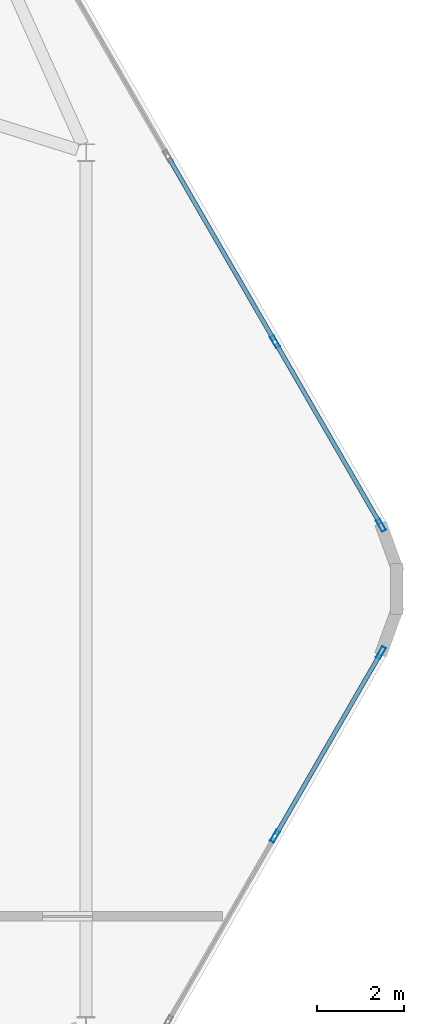
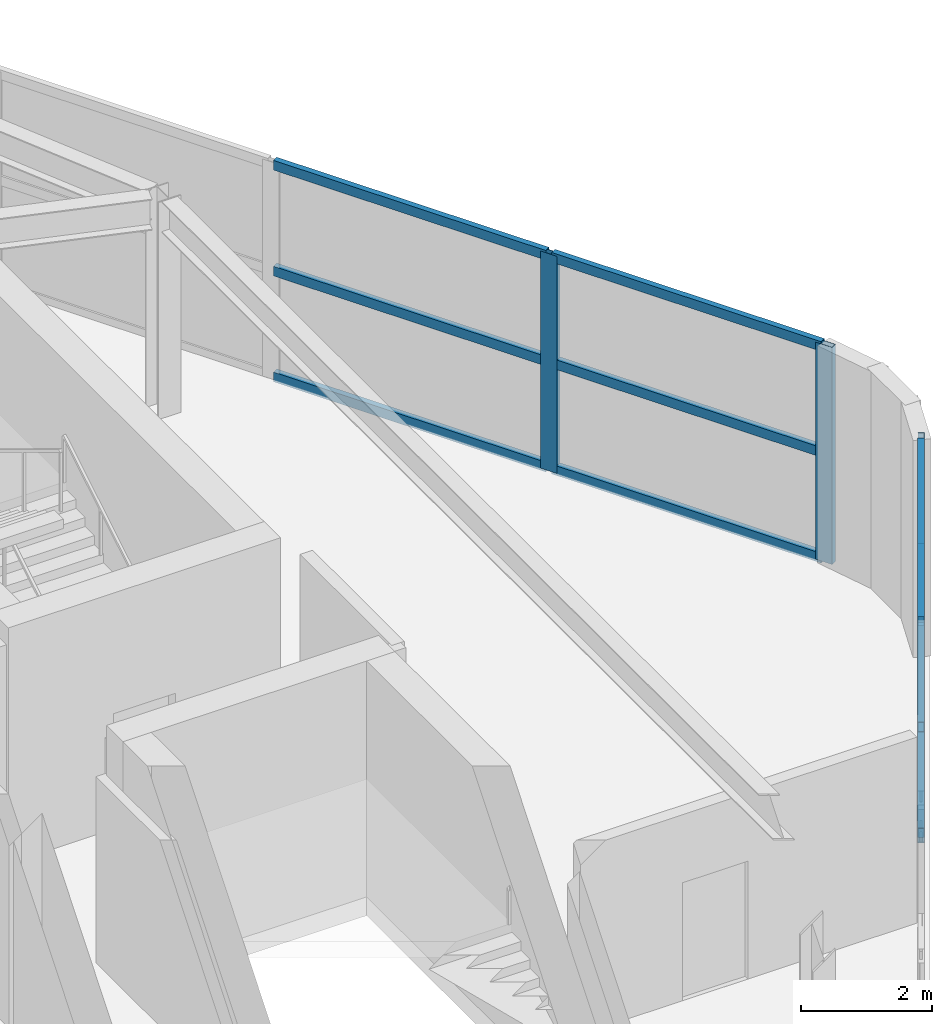
# One storey, part 8 of 14: 13 members, 2 elements without a shape of their own.
"""IFC4 building model written with IfcOpenShell, lengths in metres."""

from ifc_helpers import new_model, si_unit, direction, frame, origin, origin_2d, place, context, subcontext, project, spatial, hollow_rectangle, extrude, material, material_profile, profile_set, type_object, element, aggregate, save


model = new_model("IFC4")

# Units and contexts
model_context = context("Model", 3, precision=1e-05, world=origin(), true_north=direction((0.0, 1.0)))
body_context = subcontext(model_context, "Body", "Model", "MODEL_VIEW")
ifc_project = project(units=[si_unit("LENGTHUNIT", "METRE"), si_unit("AREAUNIT", "SQUARE_METRE"), si_unit("VOLUMEUNIT", "CUBIC_METRE"), si_unit("PLANEANGLEUNIT", "RADIAN"), si_unit("MASSUNIT", "GRAM", prefix="KILO")], contexts=[model_context])

# Site, building, storey
site_placement = place(None, origin())
site = spatial("IfcSite", under=ifc_project, at=site_placement, CompositionType="ELEMENT")
building_placement = place(site_placement, origin())
building = spatial("IfcBuilding", under=site, at=building_placement, Name="Zuhravey Tower", CompositionType="ELEMENT")
storey_placement = place(building_placement, frame((0.0, 0.0, 379.0)))
storey = spatial("IfcBuildingStorey", under=building, at=storey_placement, Name="L96", CompositionType="ELEMENT", Elevation=379.0)

# Curtain wall, members
ifc_material_1 = material(Name="Thermally broken anodised aluminium", Category="aluminium")
curtain_wall_type = type_object("IfcCurtainWallType", Name="Split-Top Crown Screened Curtain Wall CW6", PredefinedType="NOTDEFINED", material=ifc_material_1)
curtain_wall_1_placement = place(storey_placement, origin())
curtain_wall_1 = element("IfcCurtainWall", 1, at=curtain_wall_1_placement, inside=storey, type_object=curtain_wall_type, Name="L96 CW6 CW6-L96-EAST-04", PredefinedType="NOTDEFINED")
ifc_material_2 = material(Name="Anodised aluminium", Category="aluminium")
ifc_material_profile_1 = material_profile(ifc_material_2, hollow_rectangle(XDim=0.10009765625, YDim=0.2900390625, WallThickness=0.006103515625, at=origin_2d()), Name="ALU-RHS-100x290x6")
ifc_profile_set_1 = profile_set([ifc_material_profile_1], Name="Anodised aluminium")
member_type_1 = type_object("IfcMemberType", Name="Heavy Tall-Storey Mullion 100x220", PredefinedType="MULLION", material=ifc_profile_set_1)
member_1_placement = place(storey_placement, frame((60.528076171875, 37.6640625, 0.0), z_axis=(0.0, 0.0, 1.0), x_axis=(0.866027063754, 0.499997124838, 0.0)))
member_1 = element("IfcMember", 2, at=member_1_placement, type_object=member_type_1, Name="CW6 mullion 5", PredefinedType="MULLION", context=body_context, shape_type="SweptSolid", body=[
    extrude(hollow_rectangle(XDim=0.10009765625, YDim=0.2900390625, WallThickness=0.006103515625, at=origin_2d()), origin(), (0.0, 0.0, 1.0), 4.050048828125),
])
member_2_placement = place(storey_placement, frame((62.9560546875, 33.458984375, 0.0), z_axis=(0.0, 0.0, 1.0), x_axis=(0.866027063754, 0.499997124838, 0.0)))
member_2 = element("IfcMember", 3, at=member_2_placement, type_object=member_type_1, Name="CW6 mullion 6", PredefinedType="MULLION", context=body_context, shape_type="SweptSolid", body=[
    extrude(hollow_rectangle(XDim=0.10009765625, YDim=0.2900390625, WallThickness=0.006103515625, at=origin_2d()), origin(), (0.0, 0.0, 1.0), 4.050048828125),
])

curtain_wall_2_placement = place(storey_placement, origin())
curtain_wall_2 = element("IfcCurtainWall", 4, at=curtain_wall_2_placement, inside=storey, type_object=curtain_wall_type, Name="L96 CW6 CW6-L96-EAST-08", PredefinedType="NOTDEFINED")
member_3_placement = place(storey_placement, frame((62.9560546875, 30.541015625, 0.0), z_axis=(0.0, 0.0, 1.0), x_axis=(0.866027063754, -0.499997124838, 0.0)))
member_3 = element("IfcMember", 5, at=member_3_placement, type_object=member_type_1, Name="CW6 mullion 1", PredefinedType="MULLION", context=body_context, shape_type="SweptSolid", body=[
    extrude(hollow_rectangle(XDim=0.10009765625, YDim=0.2900390625, WallThickness=0.006103515625, at=origin_2d()), origin(), (0.0, 0.0, 1.0), 4.050048828125),
])
member_4_placement = place(storey_placement, frame((60.528076171875, 26.3359375, 0.0), z_axis=(0.0, 0.0, 1.0), x_axis=(0.866027063754, -0.499997124838, 0.0)))
member_4 = element("IfcMember", 6, at=member_4_placement, type_object=member_type_1, Name="CW6 mullion 2", PredefinedType="MULLION", context=body_context, shape_type="SweptSolid", body=[
    extrude(hollow_rectangle(XDim=0.10009765625, YDim=0.2900390625, WallThickness=0.006103515625, at=origin_2d()), origin(), (0.0, 0.0, 1.0), 4.050048828125),
])

# Member
ifc_material_profile_2 = material_profile(ifc_material_2, hollow_rectangle(XDim=0.10009765625, YDim=0.179931640625, WallThickness=0.006103515625, at=origin_2d()), Name="ALU-RHS-100x180x6")
ifc_profile_set_2 = profile_set([ifc_material_profile_2], Name="Anodised aluminium")
member_type_2 = type_object("IfcMemberType", Name="Tall-Storey Transom 100x180", PredefinedType="USERDEFINED", material=ifc_profile_set_2)
member_5_placement = place(storey_placement, frame((58.10009765625, 41.869384765625, 0.050048828125), z_axis=(0.50003466983, -0.866005386223, 0.0), x_axis=(0.866005386223, 0.50003466983, 0.0)))
member_5 = element("IfcMember", 7, at=member_5_placement, type_object=member_type_2, Name="CW6 transom 4.1", ObjectType="TRANSOM", PredefinedType="USERDEFINED", context=body_context, shape_type="SweptSolid", body=[
    extrude(hollow_rectangle(XDim=0.10009765625, YDim=0.179931640625, WallThickness=0.006103515625, at=origin_2d()), origin(), (0.0, 0.0, 1.0), 4.805908203125),
])

member_6_placement = place(storey_placement, frame((58.10009765625, 41.869384765625, 2.02490234375), z_axis=(0.50003466983, -0.866005386223, 0.0), x_axis=(0.866005386223, 0.50003466983, 0.0)))
member_6 = element("IfcMember", 8, at=member_6_placement, type_object=member_type_2, Name="CW6 transom 4.2", ObjectType="TRANSOM", PredefinedType="USERDEFINED", context=body_context, shape_type="SweptSolid", body=[
    extrude(hollow_rectangle(XDim=0.10009765625, YDim=0.179931640625, WallThickness=0.006103515625, at=origin_2d()), origin(), (0.0, 0.0, 1.0), 4.805908203125),
])

member_7_placement = place(storey_placement, frame((58.10009765625, 41.869384765625, 4.0), z_axis=(0.50003466983, -0.866005386223, 0.0), x_axis=(0.866005386223, 0.50003466983, 0.0)))
member_7 = element("IfcMember", 9, at=member_7_placement, type_object=member_type_2, Name="CW6 transom 4.3", ObjectType="TRANSOM", PredefinedType="USERDEFINED", context=body_context, shape_type="SweptSolid", body=[
    extrude(hollow_rectangle(XDim=0.10009765625, YDim=0.179931640625, WallThickness=0.006103515625, at=origin_2d()), origin(), (0.0, 0.0, 1.0), 4.805908203125),
])

member_8_placement = place(storey_placement, frame((60.552978515625, 37.620849609375, 0.050048828125), z_axis=(0.500003887042, -0.866023159588, 0.0), x_axis=(0.866023159588, 0.500003887042, 0.0)))
member_8 = element("IfcMember", 10, at=member_8_placement, type_object=member_type_2, Name="CW6 transom 5.1", ObjectType="TRANSOM", PredefinedType="USERDEFINED", context=body_context, shape_type="SweptSolid", body=[
    extrude(hollow_rectangle(XDim=0.10009765625, YDim=0.179931640625, WallThickness=0.006103515625, at=origin_2d()), origin(), (0.0, 0.0, 1.0), 4.755859375),
])

member_9_placement = place(storey_placement, frame((60.552978515625, 37.620849609375, 2.02490234375), z_axis=(0.500003887042, -0.866023159588, 0.0), x_axis=(0.866023159588, 0.500003887042, 0.0)))
member_9 = element("IfcMember", 11, at=member_9_placement, type_object=member_type_2, Name="CW6 transom 5.2", ObjectType="TRANSOM", PredefinedType="USERDEFINED", context=body_context, shape_type="SweptSolid", body=[
    extrude(hollow_rectangle(XDim=0.10009765625, YDim=0.179931640625, WallThickness=0.006103515625, at=origin_2d()), origin(), (0.0, 0.0, 1.0), 4.755859375),
])

member_10_placement = place(storey_placement, frame((60.552978515625, 37.620849609375, 4.0), z_axis=(0.500003887042, -0.866023159588, 0.0), x_axis=(0.866023159588, 0.500003887042, 0.0)))
member_10 = element("IfcMember", 12, at=member_10_placement, type_object=member_type_2, Name="CW6 transom 5.3", ObjectType="TRANSOM", PredefinedType="USERDEFINED", context=body_context, shape_type="SweptSolid", body=[
    extrude(hollow_rectangle(XDim=0.10009765625, YDim=0.179931640625, WallThickness=0.006103515625, at=origin_2d()), origin(), (0.0, 0.0, 1.0), 4.755859375),
])

aggregate(curtain_wall_1, [member_1, member_2, member_5, member_6, member_7, member_8, member_9, member_10])

member_11_placement = place(storey_placement, frame((62.930908203125, 30.497802734375, 0.050048828125), z_axis=(-0.500003887042, -0.866023159588, 0.0), x_axis=(0.866023159588, -0.500003887042, 0.0)))
member_11 = element("IfcMember", 13, at=member_11_placement, type_object=member_type_2, Name="CW6 transom 1.1", ObjectType="TRANSOM", PredefinedType="USERDEFINED", context=body_context, shape_type="SweptSolid", body=[
    extrude(hollow_rectangle(XDim=0.10009765625, YDim=0.179931640625, WallThickness=0.006103515625, at=origin_2d()), origin(), (0.0, 0.0, 1.0), 4.755859375),
])

member_12_placement = place(storey_placement, frame((62.930908203125, 30.497802734375, 2.02490234375), z_axis=(-0.500003887042, -0.866023159588, 0.0), x_axis=(0.866023159588, -0.500003887042, 0.0)))
member_12 = element("IfcMember", 14, at=member_12_placement, type_object=member_type_2, Name="CW6 transom 1.2", ObjectType="TRANSOM", PredefinedType="USERDEFINED", context=body_context, shape_type="SweptSolid", body=[
    extrude(hollow_rectangle(XDim=0.10009765625, YDim=0.179931640625, WallThickness=0.006103515625, at=origin_2d()), origin(), (0.0, 0.0, 1.0), 4.755859375),
])

member_13_placement = place(storey_placement, frame((62.930908203125, 30.497802734375, 4.0), z_axis=(-0.500003887042, -0.866023159588, 0.0), x_axis=(0.866023159588, -0.500003887042, 0.0)))
member_13 = element("IfcMember", 15, at=member_13_placement, type_object=member_type_2, Name="CW6 transom 1.3", ObjectType="TRANSOM", PredefinedType="USERDEFINED", context=body_context, shape_type="SweptSolid", body=[
    extrude(hollow_rectangle(XDim=0.10009765625, YDim=0.179931640625, WallThickness=0.006103515625, at=origin_2d()), origin(), (0.0, 0.0, 1.0), 4.755859375),
])

aggregate(curtain_wall_2, [member_3, member_4, member_11, member_12, member_13])

save(model, "model.ifc")
